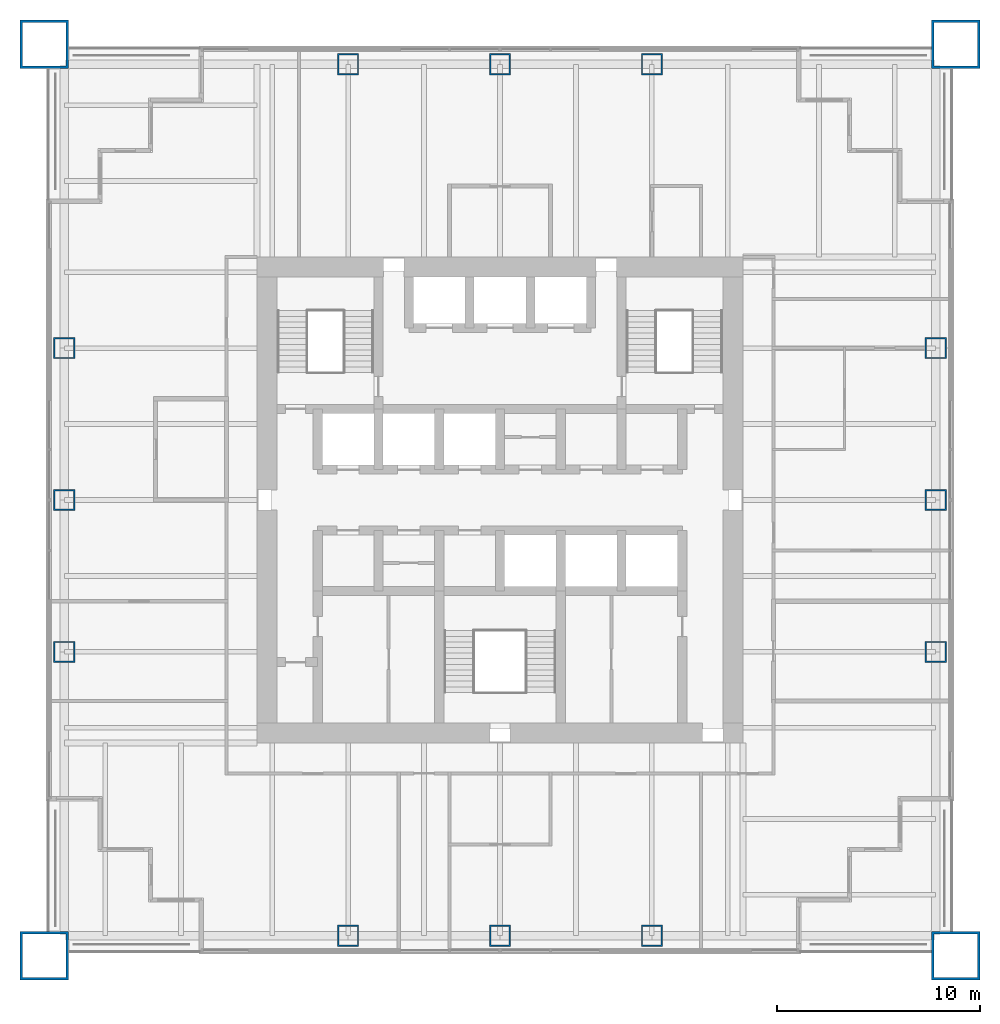
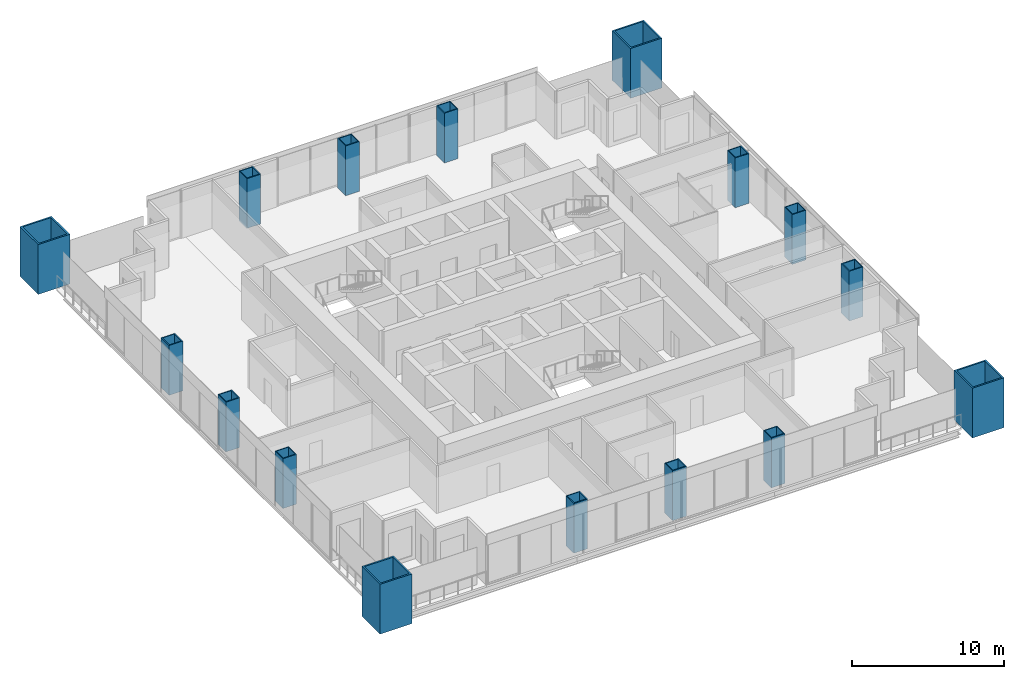
# One storey, part 1 of 13: 16 columns.
"""IFC4 building model written with IfcOpenShell, lengths in metres."""

import ifcopenshell
import ifcopenshell.guid

model = None  # the IFC model being written
_history = None  # IfcOwnerHistory: only IFC2X3 demands one
_inside = {}  # id of a spatial element -> (the spatial element, [elements in it])
_under = {}  # id of a project, library or spatial element -> (it, [spatial elements below it])
_declared = {}  # id of a project -> (the project, [libraries it declares])
_typed = {}  # id of a type object -> (the type object, [elements of that type])
_made_of = {}  # id of a material, layer set ... -> (it, [elements and type objects made of it])


def new_model(schema):
    """Start an empty IFC model of exactly this schema.

    Asked for "IFC4X3", IfcOpenShell would pick the latest addendum, in which some entities
    have other attributes; the version numbers below select the first issue.
    IFC2X3 requires an IfcOwnerHistory on every rooted entity: one is made here for all.
    """
    global model, _history
    if schema == "IFC4X3":
        model = ifcopenshell.file(schema_version=(4, 3, 0, 0))
    else:
        model = ifcopenshell.file(schema=schema)
    _inside.clear()
    _under.clear()
    _declared.clear()
    _typed.clear()
    _made_of.clear()
    _history = None
    if model.schema == "IFC2X3":
        org = make("IfcOrganization", Name="unknown")
        user = make(
            "IfcPersonAndOrganization",
            ThePerson=make("IfcPerson", FamilyName="unknown"),
            TheOrganization=org,
        )
        app = make(
            "IfcApplication",
            ApplicationDeveloper=org,
            Version="unknown",
            ApplicationFullName="unknown",
            ApplicationIdentifier="unknown",
        )
        _history = make(
            "IfcOwnerHistory",
            OwningUser=user,
            OwningApplication=app,
            ChangeAction="ADDED",
            CreationDate=0,
        )
    return model


def make(cls, **values):
    """One entity of the class cls with the attributes given. An attribute that is None is left unset."""
    return model.create_entity(
        cls, **{name: value for name, value in values.items() if value is not None}
    )


def rooted(cls, **values):
    """An entity with a GlobalId (a new one), such as an element, a storey or a relation."""
    return make(cls, GlobalId=ifcopenshell.guid.new(), OwnerHistory=_history, **values)


def si_unit(unit_type, name, prefix=None):
    """IfcSIUnit, for example si_unit("LENGTHUNIT", "METRE", prefix="MILLI")."""
    return make("IfcSIUnit", UnitType=unit_type, Prefix=prefix, Name=name)


def assignment(units):
    """IfcUnitAssignment: the units of a project."""
    return None if units is None else make("IfcUnitAssignment", Units=units)


def point(xyz):
    """IfcCartesianPoint."""
    return None if xyz is None else make("IfcCartesianPoint", Coordinates=xyz)


def direction(xyz):
    """IfcDirection."""
    return None if xyz is None else make("IfcDirection", DirectionRatios=xyz)


def frame(location, z_axis=None, x_axis=None):
    """IfcAxis2Placement3D, a coordinate frame: its origin and axes. An axis left out is left unset."""
    return make(
        "IfcAxis2Placement3D",
        Location=point(location),
        Axis=direction(z_axis),
        RefDirection=direction(x_axis),
    )


def frame_2d(location, x_axis=None):
    """IfcAxis2Placement2D, a coordinate frame in the plane: its origin and x axis."""
    return make(
        "IfcAxis2Placement2D", Location=point(location), RefDirection=direction(x_axis)
    )


def origin():
    """The frame at (0, 0, 0) with its axes left unset."""
    return frame((0.0, 0.0, 0.0))


def origin_2d():
    """The frame at (0, 0) in the plane with its x axis left unset."""
    return frame_2d((0.0, 0.0))


def place(relative_to, where):
    """IfcLocalPlacement: puts the frame where relative to a parent placement (None: the world)."""
    return make(
        "IfcLocalPlacement", PlacementRelTo=relative_to, RelativePlacement=where
    )


def context(
    kind, dimensions, precision=None, world=None, true_north=None, identifier=None
):
    """IfcGeometricRepresentationContext, for example the 3D "Model" context."""
    return make(
        "IfcGeometricRepresentationContext",
        ContextIdentifier=identifier,
        ContextType=kind,
        CoordinateSpaceDimension=dimensions,
        Precision=precision,
        WorldCoordinateSystem=world,
        TrueNorth=true_north,
    )


def subcontext(parent, identifier, kind, view, scale=None):
    """IfcGeometricRepresentationSubContext, for example "Body" below "Model"."""
    return make(
        "IfcGeometricRepresentationSubContext",
        ContextIdentifier=identifier,
        ContextType=kind,
        ParentContext=parent,
        TargetScale=scale,
        TargetView=view,
    )


def project(units=None, contexts=None):
    """IfcProject with its units and contexts."""
    return rooted(
        "IfcProject",
        Name="project",
        RepresentationContexts=contexts,
        UnitsInContext=assignment(units),
    )


def spatial(cls, under=None, at=None, **own):
    """A site, building, storey or space (cls), placed at a placement, below another one or the project."""
    s = rooted(cls, ObjectPlacement=at, **own)
    if under is not None:
        _under.setdefault(under.id(), (under, []))[1].append(s)
    return s


def profile(cls, at=None, kind="AREA", **sizes):
    """A parametric profile (cls). Its sizes go by their IFC names, for example OverallWidth=200.0."""
    return make(cls, ProfileType=kind, Position=at, **sizes)


def hollow_rectangle(**sizes):
    """IfcRectangleHollowProfileDef."""
    return profile("IfcRectangleHollowProfileDef", **sizes)


def extrude(swept, where, along, depth):
    """IfcExtrudedAreaSolid: the profile swept, set in the frame where, extruded along a direction by depth."""
    return make(
        "IfcExtrudedAreaSolid",
        SweptArea=swept,
        Position=where,
        ExtrudedDirection=direction(along),
        Depth=depth,
    )


def shape(context_of_items, identifier, shape_type, items):
    """IfcShapeRepresentation: the items that make up one representation, for example the "Body"."""
    return make(
        "IfcShapeRepresentation",
        ContextOfItems=context_of_items,
        RepresentationIdentifier=identifier,
        RepresentationType=shape_type,
        Items=items,
    )


def material(Name=None, Category=None):
    """IfcMaterial."""
    return make("IfcMaterial", Name=Name, Category=Category)


def material_profile(
    of_material, cross_section, Name=None, Category=None, Priority=None
):
    """IfcMaterialProfile: a cross section and its material."""
    return make(
        "IfcMaterialProfile",
        Name=Name,
        Material=of_material,
        Profile=cross_section,
        Priority=Priority,
        Category=Category,
    )


def profile_set(profiles, Name=None, composite=None):
    """IfcMaterialProfileSet."""
    return make(
        "IfcMaterialProfileSet",
        Name=Name,
        MaterialProfiles=profiles,
        CompositeProfile=composite,
    )


def made_of(thing, what):
    """Note that an element or type object is made of a material, layer set ...; save() writes the relation."""
    if what is not None:
        _made_of.setdefault(what.id(), (what, []))[1].append(thing)
    return thing


def type_object(cls, material=None, **own):
    """A type object (cls), such as IfcWallType, which elements share."""
    return made_of(rooted(cls, **own), material)


def element(
    cls,
    number,
    at=None,
    inside=None,
    cuts=None,
    type_object=None,
    material=None,
    context=None,
    identifier="Body",
    shape_type=None,
    held_by="IfcProductDefinitionShape",
    body=None,
    shapes=None,
    **own,
):
    """One element of the class cls, such as IfcWall. Its Tag is "e" and its number.

    at: its placement. inside: the storey or other place that contains it. cuts: it is an
    opening in that element (IfcRelVoidsElement). A single representation is given by context,
    identifier, shape_type and body (its items); several are given by shapes. held_by: the class
    of the entity that holds the representations. save() writes the other relations.
    """
    e = rooted(cls, Tag="e%d" % number, ObjectPlacement=at, **own)
    if body is not None:
        shapes = [shape(context, identifier, shape_type, body)]
    if shapes is not None:
        e.Representation = make(held_by, Representations=shapes)
    if inside is not None:
        _inside.setdefault(inside.id(), (inside, []))[1].append(e)
    if cuts is not None:
        rooted(
            "IfcRelVoidsElement", RelatingBuildingElement=cuts, RelatedOpeningElement=e
        )
    if type_object is not None:
        _typed.setdefault(type_object.id(), (type_object, []))[1].append(e)
    return made_of(e, material)


def aggregate(whole, parts):
    """IfcRelAggregates: a whole, such as a stair, and the parts it consists of."""
    return rooted("IfcRelAggregates", RelatingObject=whole, RelatedObjects=parts)


def save(model, path):
    """Write the relations noted so far, then the file.

    IfcRelAggregates (storeys below a building ...), IfcRelContainedInSpatialStructure (elements
    in a storey), IfcRelDefinesByType, IfcRelAssociatesMaterial and IfcRelDeclares: one each for
    every whole, place, type object, material and project.
    """
    for whole, parts in _under.values():
        aggregate(whole, parts)
    for where, things in _inside.values():
        rooted(
            "IfcRelContainedInSpatialStructure",
            RelatedElements=things,
            RelatingStructure=where,
        )
    for kind, things in _typed.values():
        rooted("IfcRelDefinesByType", RelatedObjects=things, RelatingType=kind)
    for what, things in _made_of.values():
        rooted("IfcRelAssociatesMaterial", RelatedObjects=things, RelatingMaterial=what)
    for by, libraries in _declared.values():
        rooted("IfcRelDeclares", RelatingContext=by, RelatedDefinitions=libraries)
    model.write(path)


model = new_model("IFC4")

# Units and contexts
model_context = context("Model", 3, precision=1e-05, world=origin(), true_north=direction((0.0, 1.0)))
body_context = subcontext(model_context, "Body", "Model", "MODEL_VIEW")
ifc_project = project(units=[si_unit("LENGTHUNIT", "METRE"), si_unit("AREAUNIT", "SQUARE_METRE"), si_unit("VOLUMEUNIT", "CUBIC_METRE"), si_unit("PLANEANGLEUNIT", "RADIAN"), si_unit("MASSUNIT", "GRAM", prefix="KILO")], contexts=[model_context])

# Site, building, storey
site_placement = place(None, origin())
site = spatial("IfcSite", under=ifc_project, at=site_placement, CompositionType="ELEMENT")
building_placement = place(site_placement, origin())
building = spatial("IfcBuilding", under=site, at=building_placement, Name="Tarangal Relay Tower", CompositionType="ELEMENT")
storey_placement = place(building_placement, frame((0.0, 0.0, 201.89990234375)))
storey = spatial("IfcBuildingStorey", under=building, at=storey_placement, Name="L42", CompositionType="ELEMENT", Elevation=201.89990234375)

# Columns
ifc_material_1 = material(Name="Steel ASTM A572 Grade 42", Category="steel")
ifc_material_profile_1 = material_profile(ifc_material_1, hollow_rectangle(XDim=2.39990234375, YDim=2.39990234375, WallThickness=0.1201171875, at=origin_2d()), Name="BOX2400X2400X120")
ifc_profile_set_1 = profile_set([ifc_material_profile_1], Name="Steel ASTM A572 Grade 42")
column_type_1 = type_object("IfcColumnType", Name="Mega column BOX2400X2400X120", PredefinedType="COLUMN", material=ifc_profile_set_1)
for number, where, z_axis, x_axis, name in (
    (1, (22.5, 22.5, 0.0), (0.0, 0.0, 1.0), (1.0, 0.0, 0.0), "Mega column MC3 NE L42"),
    (2, (22.5, -22.5, 0.0), (0.0, 0.0, 1.0), (1.0, 0.0, 0.0), "Mega column MC3 SE L42"),
    (3, (-22.5, -22.5, 0.0), (0.0, 0.0, 1.0), (1.0, 0.0, 0.0), "Mega column MC3 SW L42"),
    (4, (-22.5, 22.5, 0.0), (0.0, 0.0, 1.0), (1.0, 0.0, 0.0), "Mega column MC3 NW L42"),
):
    element("IfcColumn", number, at=place(storey_placement, frame(where, z_axis=z_axis, x_axis=x_axis)), inside=storey, type_object=column_type_1, Name=name, PredefinedType="COLUMN", context=body_context, shape_type="SweptSolid", body=[
        extrude(hollow_rectangle(XDim=2.39990234375, YDim=2.39990234375, WallThickness=0.1201171875, at=origin_2d()), origin(), (0.0, 0.0, 1.0), 4.0),
    ])
ifc_material_2 = material(Name="Steel ASTM A572 Grade 50", Category="steel")
ifc_material_profile_2 = material_profile(ifc_material_2, hollow_rectangle(XDim=1.050048828125, YDim=1.050048828125, WallThickness=0.070068359375, at=origin_2d()), Name="BOX1050X1050X70")
ifc_profile_set_2 = profile_set([ifc_material_profile_2], Name="Steel ASTM A572 Grade 50")
column_type_2 = type_object("IfcColumnType", Name="Perimeter column BOX1050X1050X70", PredefinedType="COLUMN", material=ifc_profile_set_2)
for number, where, z_axis, x_axis, name in (
    (5, (-7.5, 21.514892578125, 0.0), (0.0, 0.0, 1.0), (1.0, 0.0, 0.0), "Perimeter column PC4 N L42"),
    (6, (0.0, 21.514892578125, 0.0), (0.0, 0.0, 1.0), (1.0, 0.0, 0.0), "Perimeter column PC4 N L42"),
    (7, (7.5, 21.514892578125, 0.0), (0.0, 0.0, 1.0), (1.0, 0.0, 0.0), "Perimeter column PC4 N L42"),
    (8, (21.514892578125, 7.5, 0.0), (0.0, 0.0, 1.0), (1.0, 0.0, 0.0), "Perimeter column PC4 E L42"),
    (9, (21.514892578125, 0.0, 0.0), (0.0, 0.0, 1.0), (1.0, 0.0, 0.0), "Perimeter column PC4 E L42"),
    (10, (21.514892578125, -7.5, 0.0), (0.0, 0.0, 1.0), (1.0, 0.0, 0.0), "Perimeter column PC4 E L42"),
    (11, (7.5, -21.514892578125, 0.0), (0.0, 0.0, 1.0), (1.0, 0.0, 0.0), "Perimeter column PC4 S L42"),
    (12, (0.0, -21.514892578125, 0.0), (0.0, 0.0, 1.0), (1.0, 0.0, 0.0), "Perimeter column PC4 S L42"),
    (13, (-7.5, -21.514892578125, 0.0), (0.0, 0.0, 1.0), (1.0, 0.0, 0.0), "Perimeter column PC4 S L42"),
    (14, (-21.514892578125, -7.5, 0.0), (0.0, 0.0, 1.0), (1.0, 0.0, 0.0), "Perimeter column PC4 W L42"),
    (15, (-21.514892578125, 0.0, 0.0), (0.0, 0.0, 1.0), (1.0, 0.0, 0.0), "Perimeter column PC4 W L42"),
    (16, (-21.514892578125, 7.5, 0.0), (0.0, 0.0, 1.0), (1.0, 0.0, 0.0), "Perimeter column PC4 W L42"),
):
    element("IfcColumn", number, at=place(storey_placement, frame(where, z_axis=z_axis, x_axis=x_axis)), inside=storey, type_object=column_type_2, Name=name, PredefinedType="COLUMN", context=body_context, shape_type="SweptSolid", body=[
        extrude(hollow_rectangle(XDim=1.050048828125, YDim=1.050048828125, WallThickness=0.070068359375, at=origin_2d()), origin(), (0.0, 0.0, 1.0), 4.0),
    ])

save(model, "model.ifc")
